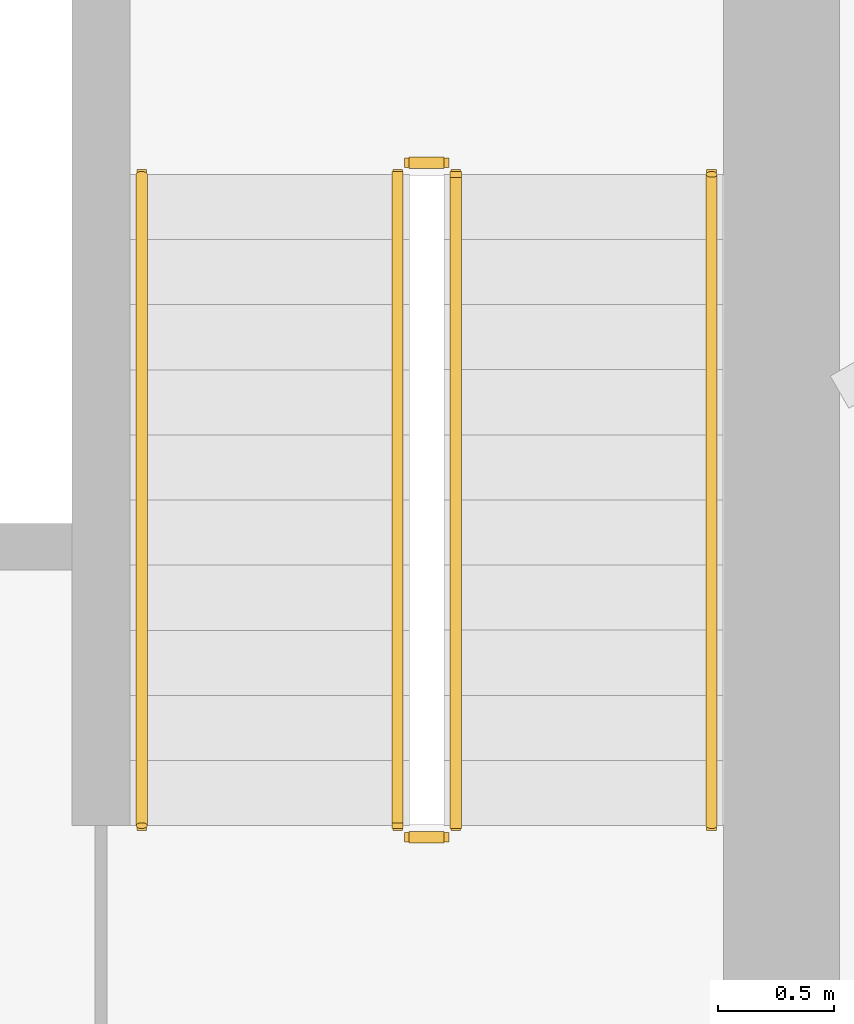
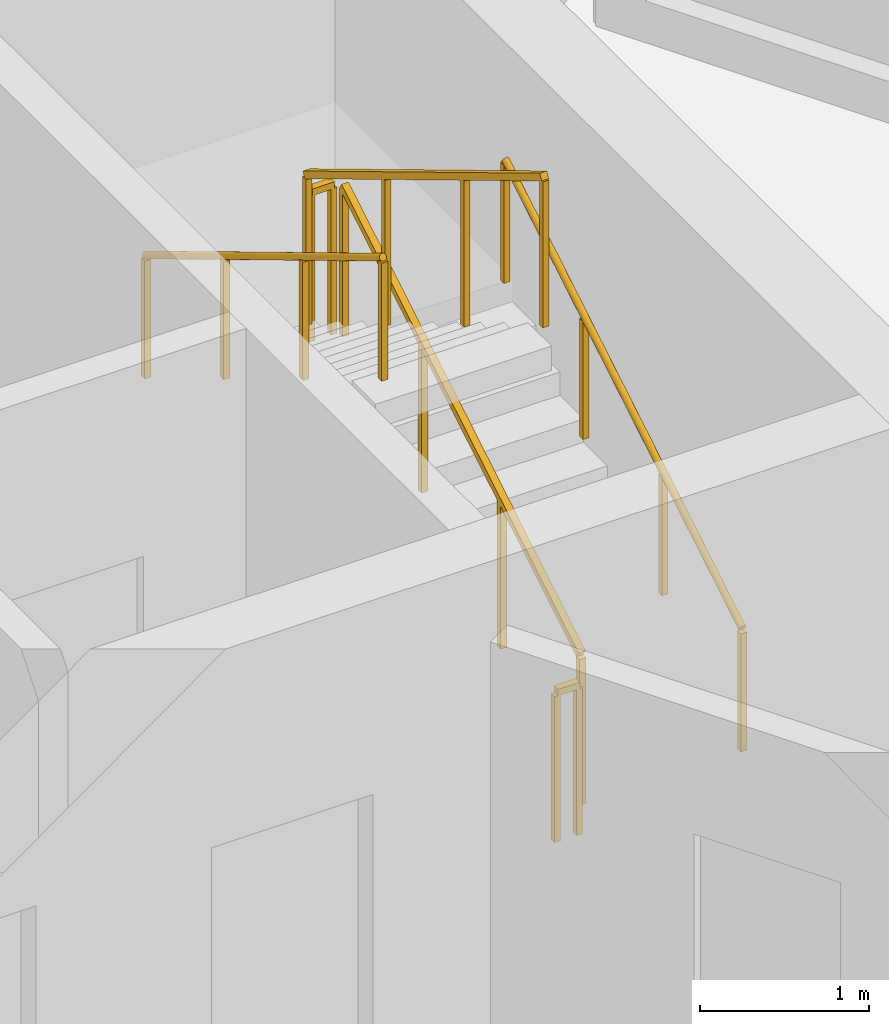
# One storey, part 14 of 14: 6 railings.
"""IFC4 building model written with IfcOpenShell, lengths in metres."""

from ifc_helpers import new_model, si_unit, direction, frame, origin, origin_2d, place, context, subcontext, project, spatial, rectangle, circle, extrude, material, type_object, element, save


model = new_model("IFC4")

# Units and contexts
model_context = context("Model", 3, precision=1e-05, world=origin(), true_north=direction((0.0, 1.0)))
body_context = subcontext(model_context, "Body", "Model", "MODEL_VIEW")
ifc_project = project(units=[si_unit("LENGTHUNIT", "METRE"), si_unit("AREAUNIT", "SQUARE_METRE"), si_unit("VOLUMEUNIT", "CUBIC_METRE"), si_unit("PLANEANGLEUNIT", "RADIAN"), si_unit("MASSUNIT", "GRAM", prefix="KILO")], contexts=[model_context])

# Site, building, storey
site_placement = place(None, origin())
site = spatial("IfcSite", under=ifc_project, at=site_placement, CompositionType="ELEMENT")
building_placement = place(site_placement, origin())
building = spatial("IfcBuilding", under=site, at=building_placement, Name="Apuvela Tower Hotel", CompositionType="ELEMENT")
storey_placement = place(building_placement, frame((0.0, 0.0, 265.199951171875)))
storey = spatial("IfcBuildingStorey", under=building, at=storey_placement, Name="L65", CompositionType="ELEMENT", Elevation=265.199951171875)

# Railings
ifc_material_1 = material(Name="Steel S275 balustrade", Category="steel")
railing_type_1 = type_object("IfcRailingType", Name="COR-GUARD-1100", PredefinedType="GUARDRAIL", material=ifc_material_1)
railing_1_placement = place(storey_placement, frame((3.85009765625, 14.60009765625, 0.168212890625)))
element("IfcRailing", 1, at=railing_1_placement, inside=storey, type_object=railing_type_1, Name="L65 ST1 stair guard 1", PredefinedType="GUARDRAIL", context=body_context, shape_type="SweptSolid", body=[
    extrude(rectangle(XDim=0.048095703125, YDim=0.048095703125, at=origin_2d()), frame((0.0, 0.0, 1.076171875), z_axis=(0.0, 0.857222391501, 0.514946377315), x_axis=(-1.0, 0.0, 0.0)), (0.0, 0.0, 1.0), 3.26611328125),
    extrude(rectangle(XDim=0.0419921875, YDim=0.0419921875, at=origin_2d()), origin(), (0.0, 0.0, 1.0), 1.052001953125),
    extrude(rectangle(XDim=0.0419921875, YDim=0.0419921875, at=origin_2d()), frame((0.0, 0.933349609375, 0.560546875)), (0.0, 0.0, 1.0), 1.052001953125),
    extrude(rectangle(XDim=0.0419921875, YDim=0.0419921875, at=origin_2d()), frame((0.0, 1.866455078125, 1.121337890625)), (0.0, 0.0, 1.0), 1.052001953125),
    extrude(rectangle(XDim=0.0419921875, YDim=0.0419921875, at=origin_2d()), frame((0.0, 2.7998046875, 1.681884765625)), (0.0, 0.0, 1.0), 1.052001953125),
])
railing_2_placement = place(storey_placement, frame((3.800048828125, 17.449951171875, 1.85009765625)))
element("IfcRailing", 2, at=railing_2_placement, inside=storey, type_object=railing_type_1, Name="L65 ST1 stair guard 2", PredefinedType="GUARDRAIL", context=body_context, shape_type="SweptSolid", body=[
    extrude(rectangle(XDim=0.048095703125, YDim=0.048095703125, at=origin_2d()), frame((0.0, 0.0, 1.076171875), z_axis=(-1.0, 0.0, 0.0), x_axis=(0.0, -1.0, 0.0)), (0.0, 0.0, 1.0), 0.150146484375),
    extrude(rectangle(XDim=0.0419921875, YDim=0.0419921875, at=origin_2d()), origin(), (0.0, 0.0, 1.0), 1.052001953125),
    extrude(rectangle(XDim=0.0419921875, YDim=0.0419921875, at=origin_2d()), frame((-0.150146484375, 0.0, 0.0)), (0.0, 0.0, 1.0), 1.052001953125),
])
railing_3_placement = place(storey_placement, frame((3.60009765625, 17.39990234375, 2.018310546875)))
element("IfcRailing", 3, at=railing_3_placement, inside=storey, type_object=railing_type_1, Name="L65 ST1 stair guard 3", PredefinedType="GUARDRAIL", context=body_context, shape_type="SweptSolid", body=[
    extrude(rectangle(XDim=0.048095703125, YDim=0.048095703125, at=origin_2d()), frame((0.0, 0.0, 1.076171875), z_axis=(0.0, -0.857255387014, 0.514891446264), x_axis=(1.0, 0.0, 0.0)), (0.0, 0.0, 1.0), 3.26611328125),
    extrude(rectangle(XDim=0.0419921875, YDim=0.0419921875, at=origin_2d()), origin(), (0.0, 0.0, 1.0), 1.052001953125),
    extrude(rectangle(XDim=0.0419921875, YDim=0.0419921875, at=origin_2d()), frame((0.0, -0.933349609375, 0.560546875)), (0.0, 0.0, 1.0), 1.052001953125),
    extrude(rectangle(XDim=0.0419921875, YDim=0.0419921875, at=origin_2d()), frame((0.0, -1.866455078125, 1.12109375)), (0.0, 0.0, 1.0), 1.052001953125),
    extrude(rectangle(XDim=0.0419921875, YDim=0.0419921875, at=origin_2d()), frame((0.0, -2.7998046875, 1.681640625)), (0.0, 0.0, 1.0), 1.052001953125),
])
railing_4_placement = place(storey_placement, frame((3.800048828125, 14.550048828125, 0.0)))
element("IfcRailing", 4, at=railing_4_placement, inside=storey, type_object=railing_type_1, Name="L65 ST1 stair guard 4", PredefinedType="GUARDRAIL", context=body_context, shape_type="SweptSolid", body=[
    extrude(rectangle(XDim=0.048095703125, YDim=0.048095703125, at=origin_2d()), frame((0.0, 0.0, 1.076171875), z_axis=(-1.0, 0.0, 0.0), x_axis=(0.0, -1.0, 0.0)), (0.0, 0.0, 1.0), 0.150146484375),
    extrude(rectangle(XDim=0.0419921875, YDim=0.0419921875, at=origin_2d()), origin(), (0.0, 0.0, 1.0), 1.052001953125),
    extrude(rectangle(XDim=0.0419921875, YDim=0.0419921875, at=origin_2d()), frame((-0.150146484375, 0.0, 0.0)), (0.0, 0.0, 1.0), 1.052001953125),
])
ifc_material_2 = material(Name="Stainless steel 316 handrail", Category="steel")
railing_type_2 = type_object("IfcRailingType", Name="COR-HANDRAIL-900", PredefinedType="HANDRAIL", material=ifc_material_2)
railing_5_placement = place(storey_placement, frame((4.949951171875, 14.60009765625, 0.168212890625)))
element("IfcRailing", 5, at=railing_5_placement, inside=storey, type_object=railing_type_2, Name="L65 ST1 stair handrail 1", PredefinedType="HANDRAIL", context=body_context, shape_type="SweptSolid", body=[
    extrude(circle(Radius=0.02392578125, at=origin_2d()), frame((0.0, 0.0, 0.8759765625), z_axis=(0.0, 0.857222391501, 0.514946377315), x_axis=(-1.0, 0.0, 0.0)), (0.0, 0.0, 1.0), 3.26611328125),
    extrude(rectangle(XDim=0.0419921875, YDim=0.0419921875, at=origin_2d()), origin(), (0.0, 0.0, 1.0), 0.851806640625),
    extrude(rectangle(XDim=0.0419921875, YDim=0.0419921875, at=origin_2d()), frame((0.0, 0.933349609375, 0.560546875)), (0.0, 0.0, 1.0), 0.851806640625),
    extrude(rectangle(XDim=0.0419921875, YDim=0.0419921875, at=origin_2d()), frame((0.0, 1.866455078125, 1.121337890625)), (0.0, 0.0, 1.0), 0.851806640625),
    extrude(rectangle(XDim=0.0419921875, YDim=0.0419921875, at=origin_2d()), frame((0.0, 2.7998046875, 1.681884765625)), (0.0, 0.0, 1.0), 0.851806640625),
])
railing_6_placement = place(storey_placement, frame((2.5, 17.39990234375, 2.018310546875)))
element("IfcRailing", 6, at=railing_6_placement, inside=storey, type_object=railing_type_2, Name="L65 ST1 stair handrail 2", PredefinedType="HANDRAIL", context=body_context, shape_type="SweptSolid", body=[
    extrude(circle(Radius=0.02392578125, at=origin_2d()), frame((0.0, 0.0, 0.8759765625), z_axis=(0.0, -0.857255387014, 0.514891446264), x_axis=(1.0, 0.0, 0.0)), (0.0, 0.0, 1.0), 3.26611328125),
    extrude(rectangle(XDim=0.0419921875, YDim=0.0419921875, at=origin_2d()), origin(), (0.0, 0.0, 1.0), 0.851806640625),
    extrude(rectangle(XDim=0.0419921875, YDim=0.0419921875, at=origin_2d()), frame((0.0, -0.933349609375, 0.560546875)), (0.0, 0.0, 1.0), 0.851806640625),
    extrude(rectangle(XDim=0.0419921875, YDim=0.0419921875, at=origin_2d()), frame((0.0, -1.866455078125, 1.12109375)), (0.0, 0.0, 1.0), 0.851806640625),
    extrude(rectangle(XDim=0.0419921875, YDim=0.0419921875, at=origin_2d()), frame((0.0, -2.7998046875, 1.681640625)), (0.0, 0.0, 1.0), 0.851806640625),
])

save(model, "model.ifc")
